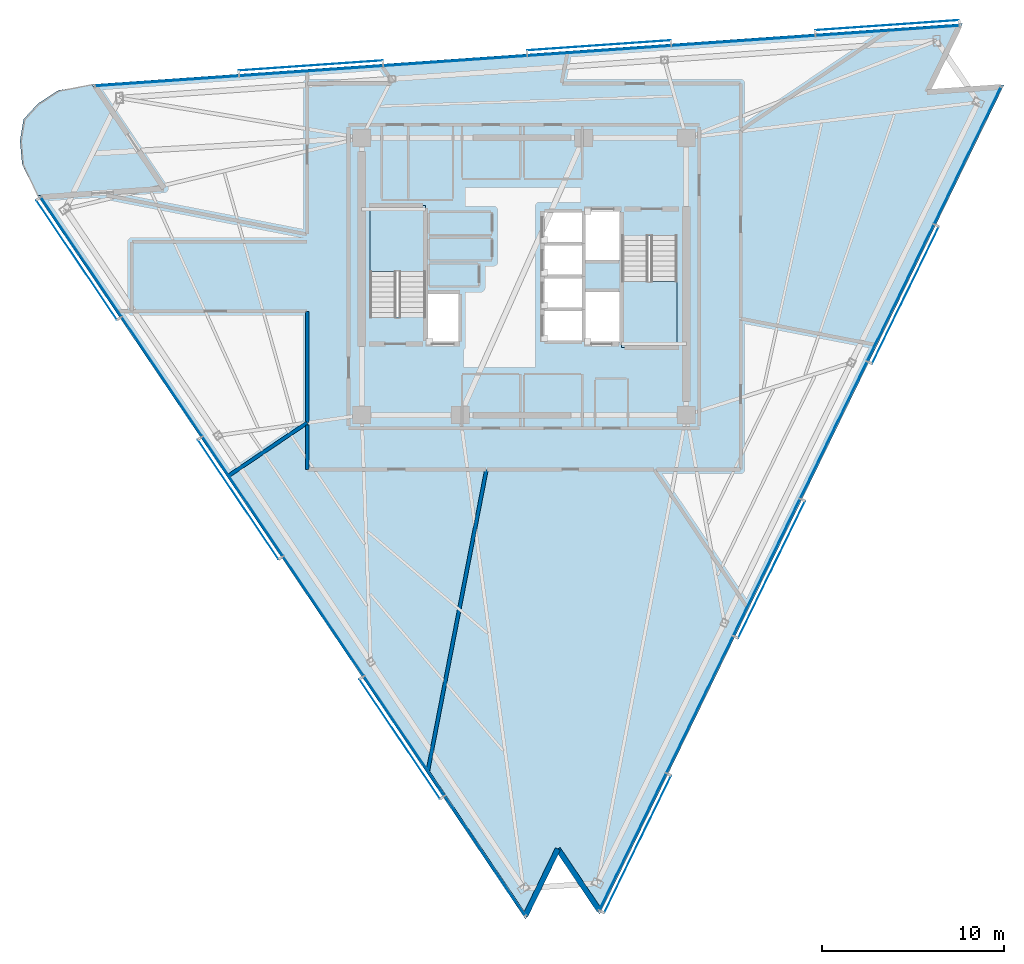
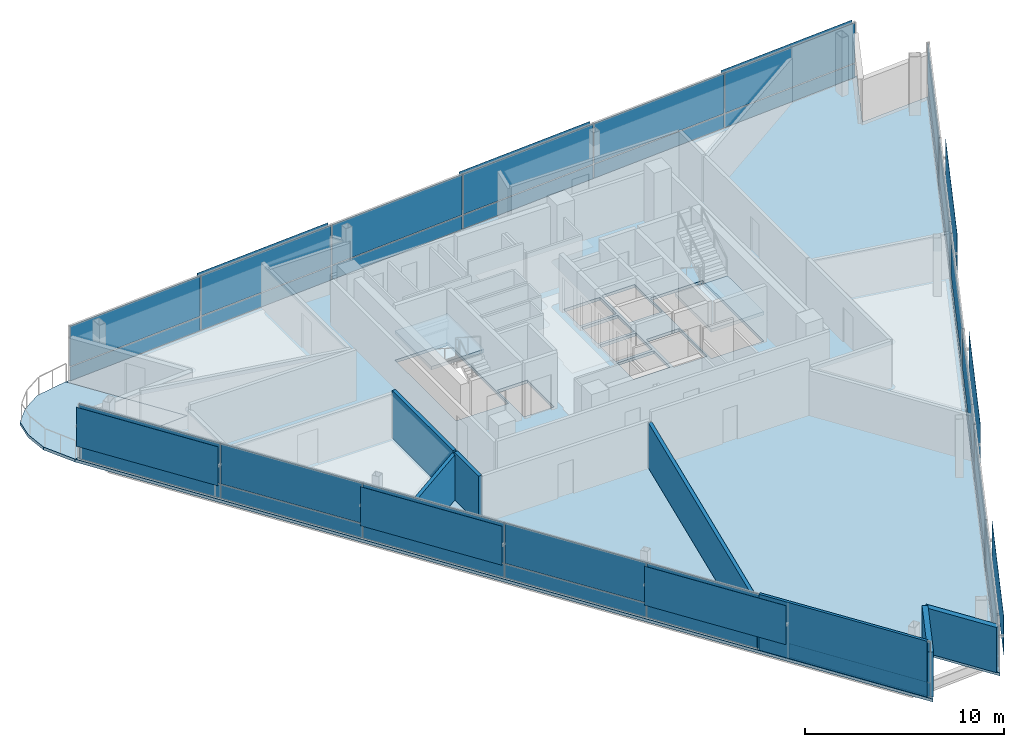
# One storey, part 8 of 16: 45 plates, 7 walls, 4 slabs, 5 elements without a shape of their own.
"""IFC4 building model written with IfcOpenShell, lengths in metres."""

from ifc_helpers import new_model, si_unit, direction, frame, frame_2d, origin, origin_2d, place, context, subcontext, project, spatial, polyline, rectangle, outline, extrude, material, layer, layer_set, type_object, element, aggregate, save


model = new_model("IFC4")

# Units and contexts
model_context = context("Model", 3, precision=1e-05, world=origin(), true_north=direction((0.0, 1.0)))
body_context = subcontext(model_context, "Body", "Model", "MODEL_VIEW")
ifc_project = project(units=[si_unit("LENGTHUNIT", "METRE"), si_unit("AREAUNIT", "SQUARE_METRE"), si_unit("VOLUMEUNIT", "CUBIC_METRE"), si_unit("PLANEANGLEUNIT", "RADIAN"), si_unit("MASSUNIT", "GRAM", prefix="KILO")], contexts=[model_context])

# Site, building, storey
site_placement = place(None, origin())
site = spatial("IfcSite", under=ifc_project, at=site_placement, CompositionType="ELEMENT")
building_placement = place(site_placement, origin())
building = spatial("IfcBuilding", under=site, at=building_placement, Name="Tharavind Bronze Gate", CompositionType="ELEMENT")
storey_placement = place(building_placement, frame((0.0, 0.0, 264.199951171875)))
storey = spatial("IfcBuildingStorey", under=building, at=storey_placement, Name="L68", CompositionType="ELEMENT", Elevation=264.199951171875)

# Plates
ifc_material_1 = material(Name="Perforated Bronze Alloy", Category="bronze")
ifc_layer_1 = layer(ifc_material_1, 0.011962890625)
ifc_layer_set_1 = layer_set([ifc_layer_1], Name="Perforated Bronze Alloy")
plate_type_1 = type_object("IfcPlateType", Name="BRONZE PERFORATED SOLAR SCREEN", PredefinedType="USERDEFINED", material=ifc_layer_set_1)
for number, where, z_axis, x_axis, name in (
    (1, (-24.528076171875, 0.904052734375, 0.966796875), (0.0, 0.0, 1.0), (0.559191456526, -0.82903854853, 0.0), "CW-L68-S1 perforated bronze solar screen 1"),
    (2, (-15.670166015625, -12.228515625, 0.966796875), (0.0, 0.0, 1.0), (0.559191456526, -0.82903854853, 0.0), "CW-L68-S1 perforated bronze solar screen 3"),
    (3, (-6.812255859375, -25.361083984375, 0.966796875), (0.0, 0.0, 1.0), (0.559191456526, -0.82903854853, 0.0), "CW-L68-S1 perforated bronze solar screen 5"),
):
    element("IfcPlate", number, at=place(storey_placement, frame(where, z_axis=z_axis, x_axis=x_axis)), inside=storey, type_object=plate_type_1, Name=name, ObjectType="SCREEN", PredefinedType="USERDEFINED", context=body_context, shape_type="SweptSolid", body=[
        extrude(rectangle(XDim=7.900390625, YDim=0.011962890625, at=origin_2d()), origin(), (0.0, 0.0, 1.0), 2.386962890625),
    ])
for number, where, z_axis, x_axis, name in (
    (4, (6.234130859375, -31.12841796875, 0.966796875), (0.0, 0.0, 1.0), (0.43837271548, 0.898793281196, 0.0), "CW-L68-S2 perforated bronze solar screen 1"),
    (5, (13.57470703125, -16.078369140625, 0.966796875), (0.0, 0.0, 1.0), (0.43837271548, 0.898793281196, 0.0), "CW-L68-S2 perforated bronze solar screen 3"),
    (6, (20.9150390625, -1.0283203125, 0.966796875), (0.0, 0.0, 1.0), (0.43837271548, 0.898793281196, 0.0), "CW-L68-S2 perforated bronze solar screen 5"),
):
    element("IfcPlate", number, at=place(storey_placement, frame(where, z_axis=z_axis, x_axis=x_axis)), inside=storey, type_object=plate_type_1, Name=name, ObjectType="SCREEN", PredefinedType="USERDEFINED", context=body_context, shape_type="SweptSolid", body=[
        extrude(rectangle(XDim=8.352294921875, YDim=0.011962890625, at=origin_2d()), origin(), (0.0, 0.0, 1.0), 2.386962890625),
    ])
for number, where, z_axis, x_axis, name in (
    (7, (19.909423828125, 13.779052734375, 0.966796875), (0.0, 0.0, 1.0), (-0.997563806758, -0.069759955899, 0.0), "CW-L68-S3 perforated bronze solar screen 1"),
    (8, (4.107421875, 12.674072265625, 0.966796875), (0.0, 0.0, 1.0), (-0.997563806758, -0.069759955899, 0.0), "CW-L68-S3 perforated bronze solar screen 3"),
    (9, (-11.69482421875, 11.569091796875, 0.966796875), (0.0, 0.0, 1.0), (-0.997563806758, -0.069759955899, 0.0), "CW-L68-S3 perforated bronze solar screen 5"),
):
    element("IfcPlate", number, at=place(storey_placement, frame(where, z_axis=z_axis, x_axis=x_axis)), inside=storey, type_object=plate_type_1, Name=name, ObjectType="SCREEN", PredefinedType="USERDEFINED", context=body_context, shape_type="SweptSolid", body=[
        extrude(rectangle(XDim=7.900390625, YDim=0.011962890625, at=origin_2d()), origin(), (0.0, 0.0, 1.0), 2.386962890625),
    ])

# Curtain wall, plates
ifc_material_2 = material(Name="Anodised Bronze Aluminium", Category="aluminium")
ifc_layer_2 = layer(ifc_material_2, 0.219970703125)
ifc_layer_set_2 = layer_set([ifc_layer_2], Name="Anodised Bronze Aluminium")
curtain_wall_type = type_object("IfcCurtainWallType", Name="UNITISED CURTAIN WALL UPPER OFFICE", PredefinedType="USERDEFINED", material=ifc_layer_set_2)
curtain_wall_1_placement = place(storey_placement, origin())
curtain_wall_1 = element("IfcCurtainWall", 10, at=curtain_wall_1_placement, inside=storey, type_object=curtain_wall_type, Name="L68 unitised curtain wall upper office CW-L68-S1", ObjectType="UNITISED CURTAIN WALL", PredefinedType="USERDEFINED")
ifc_material_3 = material(Name="Patinated Bronze Alloy Sheet", Category="bronze")
ifc_layer_3 = layer(ifc_material_3, 0.01611328125)
ifc_layer_set_3 = layer_set([ifc_layer_3], Name="Patinated Bronze Alloy Sheet")
plate_type_2 = type_object("IfcPlateType", Name="BRONZE SPANDREL CLADDING PANEL 16", PredefinedType="CURTAIN_PANEL", material=ifc_layer_set_3)
plate_1_placement = place(storey_placement, frame((-24.283447265625, 1.069091796875, 0.0263671875), z_axis=(0.0, 0.0, 1.0), x_axis=(0.559191456526, -0.82903854853, 0.0)))
plate_1 = element("IfcPlate", 11, at=plate_1_placement, type_object=plate_type_2, Name="CW-L68-S1 bronze spandrel panel 1", PredefinedType="CURTAIN_PANEL", context=body_context, shape_type="SweptSolid", body=[
    extrude(rectangle(XDim=7.8671875, YDim=0.01611328125, at=origin_2d()), origin(), (0.0, 0.0, 1.0), 0.846923828125),
])
plate_2_placement = place(storey_placement, frame((-19.8544921875, -5.497314453125, 0.0263671875), z_axis=(0.0, 0.0, 1.0), x_axis=(0.559191456526, -0.82903854853, 0.0)))
plate_2 = element("IfcPlate", 12, at=plate_2_placement, type_object=plate_type_2, Name="CW-L68-S1 bronze spandrel panel 2", PredefinedType="CURTAIN_PANEL", context=body_context, shape_type="SweptSolid", body=[
    extrude(rectangle(XDim=7.8671875, YDim=0.01611328125, at=origin_2d()), origin(), (0.0, 0.0, 1.0), 0.846923828125),
])
plate_3_placement = place(storey_placement, frame((-15.425537109375, -12.0634765625, 0.0263671875), z_axis=(0.0, 0.0, 1.0), x_axis=(0.559191456526, -0.82903854853, 0.0)))
plate_3 = element("IfcPlate", 13, at=plate_3_placement, type_object=plate_type_2, Name="CW-L68-S1 bronze spandrel panel 3", PredefinedType="CURTAIN_PANEL", context=body_context, shape_type="SweptSolid", body=[
    extrude(rectangle(XDim=7.8671875, YDim=0.01611328125, at=origin_2d()), origin(), (0.0, 0.0, 1.0), 0.846923828125),
])
plate_4_placement = place(storey_placement, frame((-10.99658203125, -18.629638671875, 0.0263671875), z_axis=(0.0, 0.0, 1.0), x_axis=(0.559191456526, -0.82903854853, 0.0)))
plate_4 = element("IfcPlate", 14, at=plate_4_placement, type_object=plate_type_2, Name="CW-L68-S1 bronze spandrel panel 4", PredefinedType="CURTAIN_PANEL", context=body_context, shape_type="SweptSolid", body=[
    extrude(rectangle(XDim=7.8671875, YDim=0.01611328125, at=origin_2d()), origin(), (0.0, 0.0, 1.0), 0.846923828125),
])
plate_5_placement = place(storey_placement, frame((-6.567626953125, -25.196044921875, 0.0263671875), z_axis=(0.0, 0.0, 1.0), x_axis=(0.559191456526, -0.82903854853, 0.0)))
plate_5 = element("IfcPlate", 15, at=plate_5_placement, type_object=plate_type_2, Name="CW-L68-S1 bronze spandrel panel 5", PredefinedType="CURTAIN_PANEL", context=body_context, shape_type="SweptSolid", body=[
    extrude(rectangle(XDim=7.8671875, YDim=0.01611328125, at=origin_2d()), origin(), (0.0, 0.0, 1.0), 0.846923828125),
])
plate_6_placement = place(storey_placement, frame((-2.138671875, -31.76220703125, 0.0263671875), z_axis=(0.0, 0.0, 1.0), x_axis=(0.559191456526, -0.82903854853, 0.0)))
plate_6 = element("IfcPlate", 16, at=plate_6_placement, type_object=plate_type_2, Name="CW-L68-S1 bronze spandrel panel 6", PredefinedType="CURTAIN_PANEL", context=body_context, shape_type="SweptSolid", body=[
    extrude(rectangle(XDim=7.8671875, YDim=0.01611328125, at=origin_2d()), origin(), (0.0, 0.0, 1.0), 0.846923828125),
])

curtain_wall_2_placement = place(storey_placement, origin())
curtain_wall_2 = element("IfcCurtainWall", 17, at=curtain_wall_2_placement, inside=storey, type_object=curtain_wall_type, Name="L68 unitised curtain wall upper office CW-L68-S2", ObjectType="UNITISED CURTAIN WALL", PredefinedType="USERDEFINED")
plate_7_placement = place(storey_placement, frame((5.968994140625, -30.9990234375, 0.0263671875), z_axis=(0.0, 0.0, 1.0), x_axis=(0.43837271548, 0.898793281196, 0.0)))
plate_7 = element("IfcPlate", 18, at=plate_7_placement, type_object=plate_type_2, Name="CW-L68-S2 bronze spandrel panel 1", PredefinedType="CURTAIN_PANEL", context=body_context, shape_type="SweptSolid", body=[
    extrude(rectangle(XDim=8.3193359375, YDim=0.01611328125, at=origin_2d()), origin(), (0.0, 0.0, 1.0), 0.846923828125),
])
plate_8_placement = place(storey_placement, frame((9.639404296875, -23.47412109375, 0.0263671875), z_axis=(0.0, 0.0, 1.0), x_axis=(0.43837271548, 0.898793281196, 0.0)))
plate_8 = element("IfcPlate", 19, at=plate_8_placement, type_object=plate_type_2, Name="CW-L68-S2 bronze spandrel panel 2", PredefinedType="CURTAIN_PANEL", context=body_context, shape_type="SweptSolid", body=[
    extrude(rectangle(XDim=8.3193359375, YDim=0.01611328125, at=origin_2d()), origin(), (0.0, 0.0, 1.0), 0.846923828125),
])
plate_9_placement = place(storey_placement, frame((13.3095703125, -15.94921875, 0.0263671875), z_axis=(0.0, 0.0, 1.0), x_axis=(0.43837271548, 0.898793281196, 0.0)))
plate_9 = element("IfcPlate", 20, at=plate_9_placement, type_object=plate_type_2, Name="CW-L68-S2 bronze spandrel panel 3", PredefinedType="CURTAIN_PANEL", context=body_context, shape_type="SweptSolid", body=[
    extrude(rectangle(XDim=8.3193359375, YDim=0.01611328125, at=origin_2d()), origin(), (0.0, 0.0, 1.0), 0.846923828125),
])
plate_10_placement = place(storey_placement, frame((16.979736328125, -8.424072265625, 0.0263671875), z_axis=(0.0, 0.0, 1.0), x_axis=(0.43837271548, 0.898793281196, 0.0)))
plate_10 = element("IfcPlate", 21, at=plate_10_placement, type_object=plate_type_2, Name="CW-L68-S2 bronze spandrel panel 4", PredefinedType="CURTAIN_PANEL", context=body_context, shape_type="SweptSolid", body=[
    extrude(rectangle(XDim=8.3193359375, YDim=0.01611328125, at=origin_2d()), origin(), (0.0, 0.0, 1.0), 0.846923828125),
])
plate_11_placement = place(storey_placement, frame((20.64990234375, -0.89892578125, 0.0263671875), z_axis=(0.0, 0.0, 1.0), x_axis=(0.43837271548, 0.898793281196, 0.0)))
plate_11 = element("IfcPlate", 22, at=plate_11_placement, type_object=plate_type_2, Name="CW-L68-S2 bronze spandrel panel 5", PredefinedType="CURTAIN_PANEL", context=body_context, shape_type="SweptSolid", body=[
    extrude(rectangle(XDim=8.3193359375, YDim=0.01611328125, at=origin_2d()), origin(), (0.0, 0.0, 1.0), 0.846923828125),
])
plate_12_placement = place(storey_placement, frame((24.3203125, 6.6259765625, 0.0263671875), z_axis=(0.0, 0.0, 1.0), x_axis=(0.43837271548, 0.898793281196, 0.0)))
plate_12 = element("IfcPlate", 23, at=plate_12_placement, type_object=plate_type_2, Name="CW-L68-S2 bronze spandrel panel 6", PredefinedType="CURTAIN_PANEL", context=body_context, shape_type="SweptSolid", body=[
    extrude(rectangle(XDim=8.3193359375, YDim=0.01611328125, at=origin_2d()), origin(), (0.0, 0.0, 1.0), 0.846923828125),
])

curtain_wall_3_placement = place(storey_placement, origin())
curtain_wall_3 = element("IfcCurtainWall", 24, at=curtain_wall_3_placement, inside=storey, type_object=curtain_wall_type, Name="L68 unitised curtain wall upper office CW-L68-S3", ObjectType="UNITISED CURTAIN WALL", PredefinedType="USERDEFINED")
plate_13_placement = place(storey_placement, frame((19.929931640625, 13.48486328125, 0.0263671875), z_axis=(0.0, 0.0, 1.0), x_axis=(-0.997563806758, -0.069759955899, 0.0)))
plate_13 = element("IfcPlate", 25, at=plate_13_placement, type_object=plate_type_2, Name="CW-L68-S3 bronze spandrel panel 1", PredefinedType="CURTAIN_PANEL", context=body_context, shape_type="SweptSolid", body=[
    extrude(rectangle(XDim=7.8671875, YDim=0.01611328125, at=origin_2d()), origin(), (0.0, 0.0, 1.0), 0.846923828125),
])
plate_14_placement = place(storey_placement, frame((12.02880859375, 12.932373046875, 0.0263671875), z_axis=(0.0, 0.0, 1.0), x_axis=(-0.997563806758, -0.069759955899, 0.0)))
plate_14 = element("IfcPlate", 26, at=plate_14_placement, type_object=plate_type_2, Name="CW-L68-S3 bronze spandrel panel 2", PredefinedType="CURTAIN_PANEL", context=body_context, shape_type="SweptSolid", body=[
    extrude(rectangle(XDim=7.8671875, YDim=0.01611328125, at=origin_2d()), origin(), (0.0, 0.0, 1.0), 0.846923828125),
])
plate_15_placement = place(storey_placement, frame((4.1279296875, 12.3798828125, 0.0263671875), z_axis=(0.0, 0.0, 1.0), x_axis=(-0.997563806758, -0.069759955899, 0.0)))
plate_15 = element("IfcPlate", 27, at=plate_15_placement, type_object=plate_type_2, Name="CW-L68-S3 bronze spandrel panel 3", PredefinedType="CURTAIN_PANEL", context=body_context, shape_type="SweptSolid", body=[
    extrude(rectangle(XDim=7.8671875, YDim=0.01611328125, at=origin_2d()), origin(), (0.0, 0.0, 1.0), 0.846923828125),
])
plate_16_placement = place(storey_placement, frame((-3.773193359375, 11.827392578125, 0.0263671875), z_axis=(0.0, 0.0, 1.0), x_axis=(-0.997563806758, -0.069759955899, 0.0)))
plate_16 = element("IfcPlate", 28, at=plate_16_placement, type_object=plate_type_2, Name="CW-L68-S3 bronze spandrel panel 4", PredefinedType="CURTAIN_PANEL", context=body_context, shape_type="SweptSolid", body=[
    extrude(rectangle(XDim=7.8671875, YDim=0.01611328125, at=origin_2d()), origin(), (0.0, 0.0, 1.0), 0.846923828125),
])
plate_17_placement = place(storey_placement, frame((-11.67431640625, 11.27490234375, 0.0263671875), z_axis=(0.0, 0.0, 1.0), x_axis=(-0.997563806758, -0.069759955899, 0.0)))
plate_17 = element("IfcPlate", 29, at=plate_17_placement, type_object=plate_type_2, Name="CW-L68-S3 bronze spandrel panel 5", PredefinedType="CURTAIN_PANEL", context=body_context, shape_type="SweptSolid", body=[
    extrude(rectangle(XDim=7.8671875, YDim=0.01611328125, at=origin_2d()), origin(), (0.0, 0.0, 1.0), 0.846923828125),
])
plate_18_placement = place(storey_placement, frame((-19.5751953125, 10.722412109375, 0.0263671875), z_axis=(0.0, 0.0, 1.0), x_axis=(-0.997563806758, -0.069759955899, 0.0)))
plate_18 = element("IfcPlate", 30, at=plate_18_placement, type_object=plate_type_2, Name="CW-L68-S3 bronze spandrel panel 6", PredefinedType="CURTAIN_PANEL", context=body_context, shape_type="SweptSolid", body=[
    extrude(rectangle(XDim=7.8671875, YDim=0.01611328125, at=origin_2d()), origin(), (0.0, 0.0, 1.0), 0.846923828125),
])

# Slab
ifc_material_4 = material(Name="Concrete C40/50", Category="concrete")
ifc_layer_4 = layer(ifc_material_4, 0.179931640625)
ifc_layer_set_4 = layer_set([ifc_layer_4], Name="Concrete C40/50")
slab_type_1 = type_object("IfcSlabType", Name="EXTERIOR BALCONY SLAB 180", PredefinedType="FLOOR", material=ifc_layer_set_4)
slab_1_placement = place(storey_placement, frame((0.0, 0.0, -0.179931640625)))
element("IfcSlab", 31, at=slab_1_placement, inside=storey, type_object=slab_type_1, Name="L68 northeast tree balcony slab", PredefinedType="FLOOR", context=body_context, shape_type="SweptSolid", body=[
    extrude(outline(polyline([(-25.535888671875, 10.203125), (-26.644287109375, 9.48681640625), (-27.443359375, 8.618896484375), (-27.63525390625, 7.455322265625), (-27.51708984375, 6.140625), (-26.677734375, 4.43994140625), (-19.914306640625, 4.912841796875), (-23.70556640625, 10.53369140625), (-25.535888671875, 10.203125)])), origin(), (0.0, 0.0, 1.0), 0.179931640625),
])

# Stair, slab
stair_type = type_object("IfcStairType", Name="CORE HALF TURN STAIR 1450", PredefinedType="HALF_TURN_STAIR", material=ifc_material_4)
stair_1_placement = place(storey_placement, origin())
stair_1 = element("IfcStair", 32, at=stair_1_placement, inside=storey, type_object=stair_type, Name="L68 Protected Exit Stair ST1", PredefinedType="HALF_TURN_STAIR")
ifc_layer_5 = layer(ifc_material_4, 0.199951171875)
ifc_layer_set_5 = layer_set([ifc_layer_5], Name="Concrete C40/50")
slab_type_2 = type_object("IfcSlabType", Name="STAIR LANDING SLAB 200", PredefinedType="LANDING", material=ifc_layer_set_5)
slab_2_placement = place(storey_placement, frame((0.0, 0.0, 1.60009765625)))
slab_2 = element("IfcSlab", 33, at=slab_2_placement, type_object=slab_type_2, Name="ST1 landing 1", PredefinedType="LANDING", context=body_context, shape_type="SweptSolid", body=[
    extrude(outline(polyline([(-5.39990234375, 0.27001953125), (-5.39990234375, 3.89990234375), (-8.449951171875, 3.89990234375), (-8.449951171875, 0.27001953125), (-5.39990234375, 0.27001953125)])), origin(), (0.0, 0.0, 1.0), 0.199951171875),
])
aggregate(stair_1, [slab_2])

stair_2_placement = place(storey_placement, origin())
stair_2 = element("IfcStair", 34, at=stair_2_placement, inside=storey, type_object=stair_type, Name="L68 Protected Exit Stair ST2", PredefinedType="HALF_TURN_STAIR")
slab_3_placement = place(storey_placement, frame((0.0, 0.0, 1.60009765625)))
slab_3 = element("IfcSlab", 35, at=slab_3_placement, type_object=slab_type_2, Name="ST2 landing 1", PredefinedType="LANDING", context=body_context, shape_type="SweptSolid", body=[
    extrude(outline(polyline([(5.35009765625, -0.27001953125), (5.35009765625, -3.89990234375), (8.39990234375, -3.89990234375), (8.39990234375, -0.27001953125), (5.35009765625, -0.27001953125)])), origin(), (0.0, 0.0, 1.0), 0.199951171875),
])
aggregate(stair_2, [slab_3])

# Slab
ifc_layer_6 = layer(ifc_material_4, 0.179931640625)
ifc_layer_set_6 = layer_set([ifc_layer_6], Name="Concrete C40/50")
slab_type_3 = type_object("IfcSlabType", Name="STRUCTURAL FLOOR SLAB 180", PredefinedType="FLOOR", material=ifc_layer_set_6)
slab_4_placement = place(storey_placement, frame((0.0, 0.0, -0.179931640625)))
element("IfcSlab", 36, at=slab_4_placement, inside=storey, type_object=slab_type_3, Name="L68 main structural floor slab", PredefinedType="FLOOR", context=body_context, shape_type="SweptSolid", body=[
    extrude(outline(polyline([(-23.70556640625, 10.53369140625), (-19.914306640625, 4.912841796875), (-26.677734375, 4.43994140625), (0.08984375, -35.244873046875), (1.873291015625, -31.588623046875), (4.14794921875, -34.961181640625), (26.321044921875, 10.500244140625), (22.262939453125, 10.216552734375), (24.04638671875, 13.872802734375), (-23.70556640625, 10.53369140625)]), holes=[polyline([(-5.39990234375, -2.215087890625), (-5.39990234375, 3.89990234375), (-8.449951171875, 3.89990234375), (-8.449951171875, -2.215087890625), (-5.39990234375, -2.215087890625)]), polyline([(5.35009765625, 2.215087890625), (5.35009765625, -3.89990234375), (8.39990234375, -3.89990234375), (8.39990234375, 2.215087890625), (5.35009765625, 2.215087890625)]), polyline([(1.080078125, -3.52001953125), (3.199951171875, -3.52001953125), (3.199951171875, -1.8798828125), (1.080078125, -1.8798828125), (1.080078125, -3.52001953125)]), polyline([(1.080078125, -1.719970703125), (3.199951171875, -1.719970703125), (3.199951171875, -0.080078125), (1.080078125, -0.080078125), (1.080078125, -1.719970703125)]), polyline([(1.080078125, 0.080078125), (3.199951171875, 0.080078125), (3.199951171875, 1.719970703125), (1.080078125, 1.719970703125), (1.080078125, 0.080078125)]), polyline([(1.080078125, 1.8798828125), (3.199951171875, 1.8798828125), (3.199951171875, 3.52001953125), (1.080078125, 3.52001953125), (1.080078125, 1.8798828125)]), polyline([(-5.320068359375, -3.6201171875), (-3.580078125, -3.6201171875), (-3.580078125, -0.929931640625), (-5.320068359375, -0.929931640625), (-5.320068359375, -3.6201171875)]), polyline([(3.360107421875, 0.8798828125), (5.27001953125, 0.8798828125), (5.27001953125, 3.6201171875), (3.360107421875, 3.6201171875), (3.360107421875, 0.8798828125)]), polyline([(3.360107421875, -3.6201171875), (5.27001953125, -3.6201171875), (5.27001953125, -0.830078125), (3.360107421875, -0.830078125), (3.360107421875, -3.6201171875)])]), origin(), (0.0, 0.0, 1.0), 0.179931640625),
])

# Plate
ifc_material_5 = material(Name="Triple Solar Control Glazing", Category="glass")
ifc_layer_7 = layer(ifc_material_5, 0.0439453125)
ifc_layer_set_7 = layer_set([ifc_layer_7], Name="Triple Solar Control Glazing")
plate_type_3 = type_object("IfcPlateType", Name="TRIPLE GLAZED FACADE PANEL 44", PredefinedType="CURTAIN_PANEL", material=ifc_layer_set_7)
plate_19_placement = place(storey_placement, frame((-24.283447265625, 1.069091796875, 0.9267578125), z_axis=(0.0, 0.0, 1.0), x_axis=(0.559191456526, -0.82903854853, 0.0)))
plate_19 = element("IfcPlate", 37, at=plate_19_placement, type_object=plate_type_3, Name="CW-L68-S1 vision glazing panel 1", PredefinedType="CURTAIN_PANEL", context=body_context, shape_type="SweptSolid", body=[
    extrude(rectangle(XDim=7.8671875, YDim=0.0439453125, at=origin_2d()), origin(), (0.0, 0.0, 1.0), 2.467041015625),
])

plate_20_placement = place(storey_placement, frame((-19.8544921875, -5.497314453125, 0.9267578125), z_axis=(0.0, 0.0, 1.0), x_axis=(0.559191456526, -0.82903854853, 0.0)))
plate_20 = element("IfcPlate", 38, at=plate_20_placement, type_object=plate_type_3, Name="CW-L68-S1 vision glazing panel 2", PredefinedType="CURTAIN_PANEL", context=body_context, shape_type="SweptSolid", body=[
    extrude(rectangle(XDim=7.8671875, YDim=0.0439453125, at=origin_2d()), origin(), (0.0, 0.0, 1.0), 2.467041015625),
])

plate_21_placement = place(storey_placement, frame((-15.425537109375, -12.0634765625, 0.9267578125), z_axis=(0.0, 0.0, 1.0), x_axis=(0.559191456526, -0.82903854853, 0.0)))
plate_21 = element("IfcPlate", 39, at=plate_21_placement, type_object=plate_type_3, Name="CW-L68-S1 vision glazing panel 3", PredefinedType="CURTAIN_PANEL", context=body_context, shape_type="SweptSolid", body=[
    extrude(rectangle(XDim=7.8671875, YDim=0.0439453125, at=origin_2d()), origin(), (0.0, 0.0, 1.0), 2.467041015625),
])

plate_22_placement = place(storey_placement, frame((-10.99658203125, -18.629638671875, 0.9267578125), z_axis=(0.0, 0.0, 1.0), x_axis=(0.559191456526, -0.82903854853, 0.0)))
plate_22 = element("IfcPlate", 40, at=plate_22_placement, type_object=plate_type_3, Name="CW-L68-S1 vision glazing panel 4", PredefinedType="CURTAIN_PANEL", context=body_context, shape_type="SweptSolid", body=[
    extrude(rectangle(XDim=7.8671875, YDim=0.0439453125, at=origin_2d()), origin(), (0.0, 0.0, 1.0), 2.467041015625),
])

plate_23_placement = place(storey_placement, frame((-6.567626953125, -25.196044921875, 0.9267578125), z_axis=(0.0, 0.0, 1.0), x_axis=(0.559191456526, -0.82903854853, 0.0)))
plate_23 = element("IfcPlate", 41, at=plate_23_placement, type_object=plate_type_3, Name="CW-L68-S1 vision glazing panel 5", PredefinedType="CURTAIN_PANEL", context=body_context, shape_type="SweptSolid", body=[
    extrude(rectangle(XDim=7.8671875, YDim=0.0439453125, at=origin_2d()), origin(), (0.0, 0.0, 1.0), 2.467041015625),
])

plate_24_placement = place(storey_placement, frame((-2.138671875, -31.76220703125, 0.9267578125), z_axis=(0.0, 0.0, 1.0), x_axis=(0.559191456526, -0.82903854853, 0.0)))
plate_24 = element("IfcPlate", 42, at=plate_24_placement, type_object=plate_type_3, Name="CW-L68-S1 vision glazing panel 6", PredefinedType="CURTAIN_PANEL", context=body_context, shape_type="SweptSolid", body=[
    extrude(rectangle(XDim=7.8671875, YDim=0.0439453125, at=origin_2d()), origin(), (0.0, 0.0, 1.0), 2.467041015625),
])

aggregate(curtain_wall_1, [plate_1, plate_19, plate_2, plate_20, plate_3, plate_21, plate_4, plate_22, plate_5, plate_23, plate_6, plate_24])

plate_25_placement = place(storey_placement, frame((5.968994140625, -30.9990234375, 0.9267578125), z_axis=(0.0, 0.0, 1.0), x_axis=(0.43837271548, 0.898793281196, 0.0)))
plate_25 = element("IfcPlate", 43, at=plate_25_placement, type_object=plate_type_3, Name="CW-L68-S2 vision glazing panel 1", PredefinedType="CURTAIN_PANEL", context=body_context, shape_type="SweptSolid", body=[
    extrude(rectangle(XDim=8.3193359375, YDim=0.0439453125, at=origin_2d()), origin(), (0.0, 0.0, 1.0), 2.467041015625),
])

plate_26_placement = place(storey_placement, frame((9.639404296875, -23.47412109375, 0.9267578125), z_axis=(0.0, 0.0, 1.0), x_axis=(0.43837271548, 0.898793281196, 0.0)))
plate_26 = element("IfcPlate", 44, at=plate_26_placement, type_object=plate_type_3, Name="CW-L68-S2 vision glazing panel 2", PredefinedType="CURTAIN_PANEL", context=body_context, shape_type="SweptSolid", body=[
    extrude(rectangle(XDim=8.3193359375, YDim=0.0439453125, at=origin_2d()), origin(), (0.0, 0.0, 1.0), 2.467041015625),
])

plate_27_placement = place(storey_placement, frame((13.3095703125, -15.94921875, 0.9267578125), z_axis=(0.0, 0.0, 1.0), x_axis=(0.43837271548, 0.898793281196, 0.0)))
plate_27 = element("IfcPlate", 45, at=plate_27_placement, type_object=plate_type_3, Name="CW-L68-S2 vision glazing panel 3", PredefinedType="CURTAIN_PANEL", context=body_context, shape_type="SweptSolid", body=[
    extrude(rectangle(XDim=8.3193359375, YDim=0.0439453125, at=origin_2d()), origin(), (0.0, 0.0, 1.0), 2.467041015625),
])

plate_28_placement = place(storey_placement, frame((16.979736328125, -8.424072265625, 0.9267578125), z_axis=(0.0, 0.0, 1.0), x_axis=(0.43837271548, 0.898793281196, 0.0)))
plate_28 = element("IfcPlate", 46, at=plate_28_placement, type_object=plate_type_3, Name="CW-L68-S2 vision glazing panel 4", PredefinedType="CURTAIN_PANEL", context=body_context, shape_type="SweptSolid", body=[
    extrude(rectangle(XDim=8.3193359375, YDim=0.0439453125, at=origin_2d()), origin(), (0.0, 0.0, 1.0), 2.467041015625),
])

plate_29_placement = place(storey_placement, frame((20.64990234375, -0.89892578125, 0.9267578125), z_axis=(0.0, 0.0, 1.0), x_axis=(0.43837271548, 0.898793281196, 0.0)))
plate_29 = element("IfcPlate", 47, at=plate_29_placement, type_object=plate_type_3, Name="CW-L68-S2 vision glazing panel 5", PredefinedType="CURTAIN_PANEL", context=body_context, shape_type="SweptSolid", body=[
    extrude(rectangle(XDim=8.3193359375, YDim=0.0439453125, at=origin_2d()), origin(), (0.0, 0.0, 1.0), 2.467041015625),
])

plate_30_placement = place(storey_placement, frame((24.3203125, 6.6259765625, 0.9267578125), z_axis=(0.0, 0.0, 1.0), x_axis=(0.43837271548, 0.898793281196, 0.0)))
plate_30 = element("IfcPlate", 48, at=plate_30_placement, type_object=plate_type_3, Name="CW-L68-S2 vision glazing panel 6", PredefinedType="CURTAIN_PANEL", context=body_context, shape_type="SweptSolid", body=[
    extrude(rectangle(XDim=8.3193359375, YDim=0.0439453125, at=origin_2d()), origin(), (0.0, 0.0, 1.0), 2.467041015625),
])

aggregate(curtain_wall_2, [plate_7, plate_25, plate_8, plate_26, plate_9, plate_27, plate_10, plate_28, plate_11, plate_29, plate_12, plate_30])

plate_31_placement = place(storey_placement, frame((19.929931640625, 13.48486328125, 0.9267578125), z_axis=(0.0, 0.0, 1.0), x_axis=(-0.997563806758, -0.069759955899, 0.0)))
plate_31 = element("IfcPlate", 49, at=plate_31_placement, type_object=plate_type_3, Name="CW-L68-S3 vision glazing panel 1", PredefinedType="CURTAIN_PANEL", context=body_context, shape_type="SweptSolid", body=[
    extrude(rectangle(XDim=7.8671875, YDim=0.0439453125, at=origin_2d()), origin(), (0.0, 0.0, 1.0), 2.467041015625),
])

plate_32_placement = place(storey_placement, frame((12.02880859375, 12.932373046875, 0.9267578125), z_axis=(0.0, 0.0, 1.0), x_axis=(-0.997563806758, -0.069759955899, 0.0)))
plate_32 = element("IfcPlate", 50, at=plate_32_placement, type_object=plate_type_3, Name="CW-L68-S3 vision glazing panel 2", PredefinedType="CURTAIN_PANEL", context=body_context, shape_type="SweptSolid", body=[
    extrude(rectangle(XDim=7.8671875, YDim=0.0439453125, at=origin_2d()), origin(), (0.0, 0.0, 1.0), 2.467041015625),
])

plate_33_placement = place(storey_placement, frame((4.1279296875, 12.3798828125, 0.9267578125), z_axis=(0.0, 0.0, 1.0), x_axis=(-0.997563806758, -0.069759955899, 0.0)))
plate_33 = element("IfcPlate", 51, at=plate_33_placement, type_object=plate_type_3, Name="CW-L68-S3 vision glazing panel 3", PredefinedType="CURTAIN_PANEL", context=body_context, shape_type="SweptSolid", body=[
    extrude(rectangle(XDim=7.8671875, YDim=0.0439453125, at=origin_2d()), origin(), (0.0, 0.0, 1.0), 2.467041015625),
])

plate_34_placement = place(storey_placement, frame((-3.773193359375, 11.827392578125, 0.9267578125), z_axis=(0.0, 0.0, 1.0), x_axis=(-0.997563806758, -0.069759955899, 0.0)))
plate_34 = element("IfcPlate", 52, at=plate_34_placement, type_object=plate_type_3, Name="CW-L68-S3 vision glazing panel 4", PredefinedType="CURTAIN_PANEL", context=body_context, shape_type="SweptSolid", body=[
    extrude(rectangle(XDim=7.8671875, YDim=0.0439453125, at=origin_2d()), origin(), (0.0, 0.0, 1.0), 2.467041015625),
])

plate_35_placement = place(storey_placement, frame((-11.67431640625, 11.27490234375, 0.9267578125), z_axis=(0.0, 0.0, 1.0), x_axis=(-0.997563806758, -0.069759955899, 0.0)))
plate_35 = element("IfcPlate", 53, at=plate_35_placement, type_object=plate_type_3, Name="CW-L68-S3 vision glazing panel 5", PredefinedType="CURTAIN_PANEL", context=body_context, shape_type="SweptSolid", body=[
    extrude(rectangle(XDim=7.8671875, YDim=0.0439453125, at=origin_2d()), origin(), (0.0, 0.0, 1.0), 2.467041015625),
])

plate_36_placement = place(storey_placement, frame((-19.5751953125, 10.722412109375, 0.9267578125), z_axis=(0.0, 0.0, 1.0), x_axis=(-0.997563806758, -0.069759955899, 0.0)))
plate_36 = element("IfcPlate", 54, at=plate_36_placement, type_object=plate_type_3, Name="CW-L68-S3 vision glazing panel 6", PredefinedType="CURTAIN_PANEL", context=body_context, shape_type="SweptSolid", body=[
    extrude(rectangle(XDim=7.8671875, YDim=0.0439453125, at=origin_2d()), origin(), (0.0, 0.0, 1.0), 2.467041015625),
])

aggregate(curtain_wall_3, [plate_13, plate_31, plate_14, plate_32, plate_15, plate_33, plate_16, plate_34, plate_17, plate_35, plate_18, plate_36])

# Walls
ifc_layer_8 = layer(ifc_material_4, 0.300048828125)
ifc_layer_set_8 = layer_set([ifc_layer_8], Name="Concrete C40/50")
wall_type_1 = type_object("IfcWallType", Name="EXTERIOR SPANDREL WALL 300", PredefinedType="STANDARD", material=ifc_layer_set_8)
wall_1_placement = place(storey_placement, frame((0.075927734375, -35.04541015625, 0.0), z_axis=(0.0, 0.0, 1.0), x_axis=(0.438357414153, 0.898800744024, 0.0)))
element("IfcWall", 55, at=wall_1_placement, inside=storey, type_object=wall_type_1, Name="L68 notch cheek wall 2A", PredefinedType="STANDARD", context=body_context, shape_type="SweptSolid", body=[
    extrude(rectangle(XDim=4.06787109375, YDim=0.300048828125, at=frame_2d((2.033935546875, 0.0))), origin(), (0.0, 0.0, 1.0), 2.76513671875),
])
wall_2_placement = place(storey_placement, frame((1.859130859375, -31.38916015625, 0.0), z_axis=(0.0, 0.0, 1.0), x_axis=(0.559206900681, -0.829028131145, 0.0)))
element("IfcWall", 56, at=wall_2_placement, inside=storey, type_object=wall_type_1, Name="L68 notch cheek wall 2B", PredefinedType="STANDARD", context=body_context, shape_type="SweptSolid", body=[
    extrude(rectangle(XDim=4.068115234375, YDim=0.300048828125, at=frame_2d((2.0341796875, 0.0))), origin(), (0.0, 0.0, 1.0), 2.76513671875),
])
ifc_material_6 = material(Name="Aerated Concrete Block", Category="concrete")
ifc_layer_9 = layer(ifc_material_6, 0.199951171875)
ifc_layer_set_9 = layer_set([ifc_layer_9], Name="Aerated Concrete Block")
wall_type_2 = type_object("IfcWallType", Name="FIRE RATED PARTITION 200", PredefinedType="PARTITIONING", material=ifc_layer_set_9)
wall_3_placement = place(storey_placement, frame((-5.269287109375, -27.10791015625, 0.0), z_axis=(0.0, 0.0, 1.0), x_axis=(0.190805932, 0.981627778903, 0.0)))
element("IfcWall", 57, at=wall_3_placement, inside=storey, type_object=wall_type_2, Name="L68 Public Restrooms Block partition", PredefinedType="PARTITIONING", context=body_context, shape_type="SweptSolid", body=[
    extrude(rectangle(XDim=16.81689453125, YDim=0.199951171875, at=frame_2d((8.408447265625, 0.0))), origin(), (0.0, 0.0, 1.0), 2.76513671875),
])
wall_4_placement = place(storey_placement, frame((-11.8798828125, -1.925048828125, 0.0), z_axis=(0.0, 0.0, 1.0), x_axis=(0.0, -1.0, 0.0)))
element("IfcWall", 58, at=wall_4_placement, inside=storey, type_object=wall_type_2, Name="L68 Pin-Up Review Room partition", PredefinedType="PARTITIONING", context=body_context, shape_type="SweptSolid", body=[
    extrude(rectangle(XDim=6.074951171875, YDim=0.199951171875, at=frame_2d((3.03759765625, 0.0))), origin(), (0.0, 0.0, 1.0), 2.9150390625),
])
wall_5_placement = place(storey_placement, frame((-11.89111328125, -8.0205078125, 0.0), z_axis=(0.0, 0.0, 1.0), x_axis=(-0.829020667263, -0.55921796578, 0.0)))
element("IfcWall", 59, at=wall_5_placement, inside=storey, type_object=wall_type_2, Name="L68 Pin-Up Review Room partition", PredefinedType="PARTITIONING", context=body_context, shape_type="SweptSolid", body=[
    extrude(rectangle(XDim=5.166015625, YDim=0.199951171875, at=frame_2d((2.5830078125, 0.0))), origin(), (0.0, 0.0, 1.0), 2.76513671875),
])
wall_6_placement = place(storey_placement, frame((-11.8798828125, -8.139892578125, 0.0), z_axis=(0.0, 0.0, 1.0), x_axis=(0.0, -1.0, 0.0)))
element("IfcWall", 60, at=wall_6_placement, inside=storey, type_object=wall_type_2, Name="L68 Material Archive Store partition", PredefinedType="PARTITIONING", context=body_context, shape_type="SweptSolid", body=[
    extrude(rectangle(XDim=2.439453125, YDim=0.199951171875, at=frame_2d((1.2197265625, 0.0))), origin(), (0.0, 0.0, 1.0), 2.9150390625),
])
ifc_material_7 = material(Name="Twin Stud Acoustic Gypsum", Category="gypsum")
ifc_layer_10 = layer(ifc_material_7, 0.14990234375)
ifc_layer_set_10 = layer_set([ifc_layer_10], Name="Twin Stud Acoustic Gypsum")
wall_type_3 = type_object("IfcWallType", Name="INTERIOR PARTITION WALL 150", PredefinedType="PARTITIONING", material=ifc_layer_set_10)
wall_7_placement = place(storey_placement, frame((-0.024169921875, -34.89697265625, 0.0), z_axis=(0.0, 0.0, 1.0), x_axis=(-0.559200376751, 0.829032531715, 0.0)))
element("IfcWall", 61, at=wall_7_placement, inside=storey, type_object=wall_type_3, Name="L68 Public Restrooms Block partition", PredefinedType="PARTITIONING", context=body_context, shape_type="SweptSolid", body=[
    extrude(rectangle(XDim=9.372802734375, YDim=0.14990234375, at=frame_2d((4.6865234375, 0.0))), origin(), (0.0, 0.0, 1.0), 3.420166015625),
])

save(model, "model.ifc")
